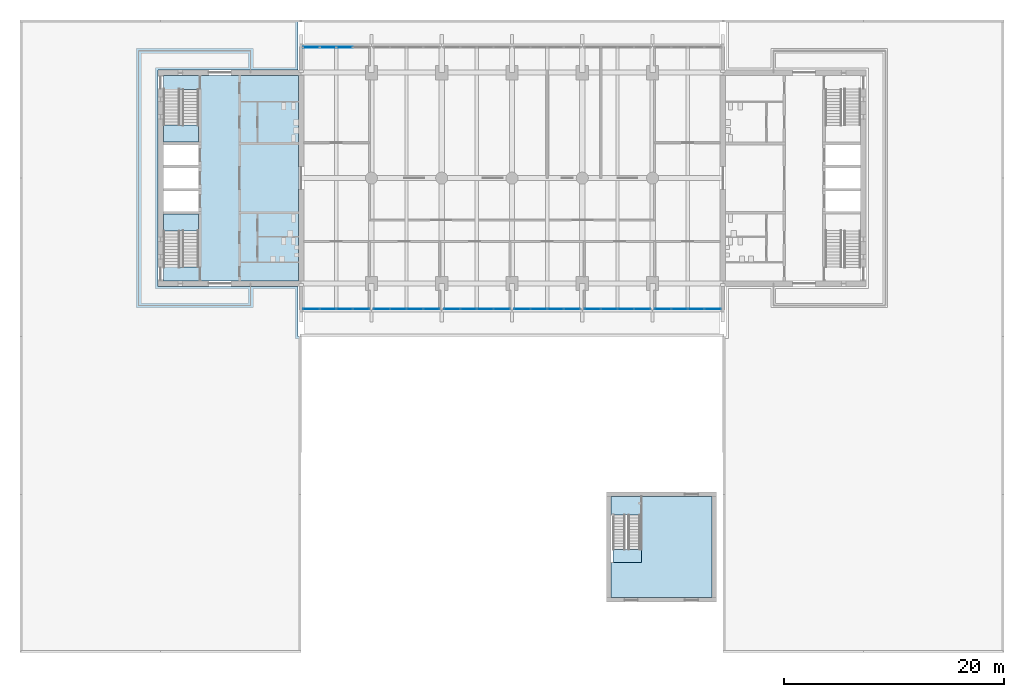
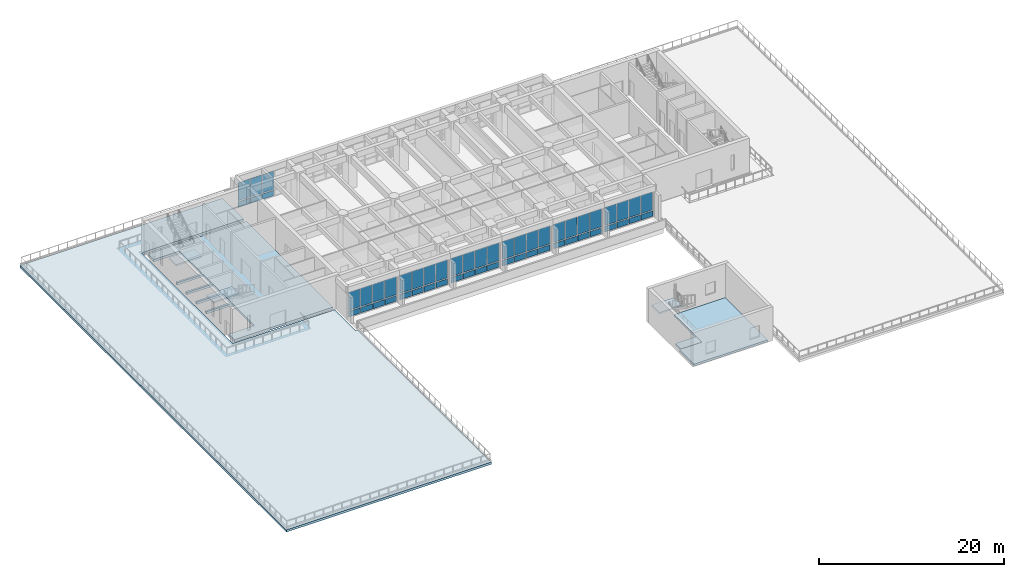
# One storey, part 8 of 21: 54 plates, 7 slabs, 10 elements without a shape of their own.
"""IFC4 building model written with IfcOpenShell, lengths in metres."""

from ifc_helpers import new_model, si_unit, direction, frame, origin, origin_2d, place, context, subcontext, project, spatial, polyline, rectangle, outline, extrude, material, layer, layer_set, type_object, element, aggregate, save


model = new_model("IFC4")

# Units and contexts
model_context = context("Model", 3, precision=1e-05, world=origin(), true_north=direction((0.0, 1.0)))
body_context = subcontext(model_context, "Body", "Model", "MODEL_VIEW")
ifc_project = project(units=[si_unit("LENGTHUNIT", "METRE"), si_unit("AREAUNIT", "SQUARE_METRE"), si_unit("VOLUMEUNIT", "CUBIC_METRE"), si_unit("PLANEANGLEUNIT", "RADIAN"), si_unit("MASSUNIT", "GRAM", prefix="KILO")], contexts=[model_context])

# Site, building, storey
site_placement = place(None, origin())
site = spatial("IfcSite", under=ifc_project, at=site_placement, CompositionType="ELEMENT")
building_placement = place(site_placement, origin())
building = spatial("IfcBuilding", under=site, at=building_placement, Name="Fogon Plaza Fire Station and Headquarters Tower", CompositionType="ELEMENT")
storey_placement = place(building_placement, frame((0.0, 0.0, 8.39990234375)))
storey = spatial("IfcBuildingStorey", under=building, at=storey_placement, Name="L02", CompositionType="ELEMENT", Elevation=8.39990234375)

# Slab
ifc_material_1 = material(Name="Concrete C40", Category="concrete")
ifc_layer_1 = layer(ifc_material_1, 0.300048828125)
ifc_layer_set_1 = layer_set([ifc_layer_1], Name="Concrete C40")
slab_type_1 = type_object("IfcSlabType", Name="Core Floor Slab RC 300", PredefinedType="FLOOR", material=ifc_layer_set_1)
slab_1_placement = place(storey_placement, frame((0.0, 0.0, -0.2998046875)))
element("IfcSlab", 1, at=slab_1_placement, inside=storey, type_object=slab_type_1, Name="Core A floor", PredefinedType="FLOOR", context=body_context, shape_type="SweptSolid", body=[
    extrude(outline(polyline([(13.050048828125, 35.110107421875), (13.050048828125, 33.85009765625), (25.35009765625, 33.85009765625), (25.35009765625, 52.550048828125), (13.050048828125, 52.550048828125), (13.050048828125, 51.2900390625), (16.27490234375, 51.2900390625), (16.27490234375, 46.47509765625), (13.050048828125, 46.47509765625), (13.050048828125, 46.22509765625), (16.27490234375, 46.22509765625), (16.27490234375, 44.375), (13.050048828125, 44.375), (13.050048828125, 44.125), (16.27490234375, 44.125), (16.27490234375, 42.27490234375), (13.050048828125, 42.27490234375), (13.050048828125, 42.02490234375), (16.27490234375, 42.02490234375), (16.27490234375, 40.175048828125), (13.050048828125, 40.175048828125), (13.050048828125, 39.925048828125), (16.27490234375, 39.925048828125), (16.27490234375, 35.110107421875), (13.050048828125, 35.110107421875)])), origin(), (0.0, 0.0, 1.0), 0.2998046875),
])

# Stair, slabs
ifc_material_2 = material(Name="Concrete C40", Category="concrete")
stair_type_1 = type_object("IfcStairType", Name="Drill Stair 1100", PredefinedType="HALF_TURN_STAIR", material=ifc_material_2)
stair_1_placement = place(storey_placement, origin())
stair_1 = element("IfcStair", 2, at=stair_1_placement, inside=storey, type_object=stair_type_1, Name="DT1", PredefinedType="HALF_TURN_STAIR")
ifc_material_3 = material(Name="Concrete C40", Category="concrete")
ifc_layer_2 = layer(ifc_material_3, 0.199951171875)
ifc_layer_set_2 = layer_set([ifc_layer_2], Name="Concrete C40")
slab_type_2 = type_object("IfcSlabType", Name="Drill Stair Landing 200", PredefinedType="LANDING", material=ifc_layer_set_2)
slab_2_placement = place(storey_placement, frame((0.0, 0.0, -0.199951171875)))
slab_2 = element("IfcSlab", 3, at=slab_2_placement, type_object=slab_type_2, Name="DT1 landing 1", PredefinedType="LANDING", context=body_context, shape_type="SweptSolid", body=[
    extrude(outline(polyline([(54.0, 8.199951171875), (56.60009765625, 8.199951171875), (56.60009765625, 9.39990234375), (54.0, 9.39990234375), (54.0, 8.199951171875)])), origin(), (0.0, 0.0, 1.0), 0.199951171875),
])
slab_3_placement = place(storey_placement, frame((0.0, 0.0, 2.050048828125)))
slab_3 = element("IfcSlab", 4, at=slab_3_placement, type_object=slab_type_2, Name="DT1 landing 2", PredefinedType="LANDING", context=body_context, shape_type="SweptSolid", body=[
    extrude(outline(polyline([(53.800048828125, 12.52001953125), (56.60009765625, 12.52001953125), (56.60009765625, 14.199951171875), (53.800048828125, 14.199951171875), (53.800048828125, 12.52001953125)])), origin(), (0.0, 0.0, 1.0), 0.199951171875),
])
aggregate(stair_1, [slab_2, slab_3])

# Slab
ifc_material_4 = material(Name="Concrete C40", Category="concrete")
ifc_layer_3 = layer(ifc_material_4, 0.25)
ifc_layer_set_3 = layer_set([ifc_layer_3], Name="Concrete C40")
slab_type_3 = type_object("IfcSlabType", Name="Floor slab 250 S25", PredefinedType="FLOOR", material=ifc_layer_set_3)
slab_4_placement = place(storey_placement, frame((0.0, 0.0, -0.25)))
element("IfcSlab", 5, at=slab_4_placement, inside=storey, type_object=slab_type_3, Name="slab-drill-L02", PredefinedType="FLOOR", context=body_context, shape_type="SweptSolid", body=[
    extrude(outline(polyline([(63.0, 14.199951171875), (63.0, 5.0), (53.800048828125, 5.0), (53.800048828125, 8.199951171875), (56.60009765625, 8.199951171875), (56.60009765625, 14.199951171875), (63.0, 14.199951171875)])), origin(), (0.0, 0.0, 1.0), 0.25),
])

# Curtain wall, plates
ifc_material_5 = material(Name="Aluminium and glass", Category="aluminium")
ifc_layer_4 = layer(ifc_material_5, 0.14990234375)
ifc_layer_set_4 = layer_set([ifc_layer_4], Name="Aluminium and glass")
curtain_wall_type = type_object("IfcCurtainWallType", Name="Unitised Curtain Wall Run 6100x3480", PredefinedType="NOTDEFINED", material=ifc_layer_set_4)
curtain_wall_1_placement = place(storey_placement, origin())
curtain_wall_1 = element("IfcCurtainWall", 6, at=curtain_wall_1_placement, inside=storey, type_object=curtain_wall_type, Name="CW-6100x3480 S1 L02", PredefinedType="NOTDEFINED")
ifc_material_6 = material(Name="Insulated aluminium spandrel", Category="aluminium")
ifc_layer_5 = layer(ifc_material_6, 0.06005859375)
ifc_layer_set_5 = layer_set([ifc_layer_5], Name="Insulated aluminium spandrel")
plate_type_1 = type_object("IfcPlateType", Name="Insulated Spandrel Panel", PredefinedType="CURTAIN_PANEL", material=ifc_layer_set_5)
plate_1_placement = place(storey_placement, frame((26.534912109375, 31.280029296875, 0.1201171875), z_axis=(0.0, 0.0, 1.0), x_axis=(1.0, 0.0, 0.0)))
plate_1 = element("IfcPlate", 7, at=plate_1_placement, type_object=plate_type_1, Name="SP1 panel 1.1", PredefinedType="CURTAIN_PANEL", context=body_context, shape_type="SweptSolid", body=[
    extrude(rectangle(XDim=1.449951171875, YDim=0.06005859375, at=origin_2d()), origin(), (0.0, 0.0, 1.0), 0.719970703125),
])
plate_2_placement = place(storey_placement, frame((28.044921875, 31.280029296875, 0.1201171875), z_axis=(0.0, 0.0, 1.0), x_axis=(1.0, 0.0, 0.0)))
plate_2 = element("IfcPlate", 8, at=plate_2_placement, type_object=plate_type_1, Name="SP1 panel 2.1", PredefinedType="CURTAIN_PANEL", context=body_context, shape_type="SweptSolid", body=[
    extrude(rectangle(XDim=1.449951171875, YDim=0.06005859375, at=origin_2d()), origin(), (0.0, 0.0, 1.0), 0.719970703125),
])
plate_3_placement = place(storey_placement, frame((29.554931640625, 31.280029296875, 0.1201171875), z_axis=(0.0, 0.0, 1.0), x_axis=(1.0, 0.0, 0.0)))
plate_3 = element("IfcPlate", 9, at=plate_3_placement, type_object=plate_type_1, Name="SP1 panel 3.1", PredefinedType="CURTAIN_PANEL", context=body_context, shape_type="SweptSolid", body=[
    extrude(rectangle(XDim=1.449951171875, YDim=0.06005859375, at=origin_2d()), origin(), (0.0, 0.0, 1.0), 0.719970703125),
])
plate_4_placement = place(storey_placement, frame((31.06494140625, 31.280029296875, 0.1201171875), z_axis=(0.0, 0.0, 1.0), x_axis=(1.0, 0.0, 0.0)))
plate_4 = element("IfcPlate", 10, at=plate_4_placement, type_object=plate_type_1, Name="SP1 panel 4.1", PredefinedType="CURTAIN_PANEL", context=body_context, shape_type="SweptSolid", body=[
    extrude(rectangle(XDim=1.449951171875, YDim=0.06005859375, at=origin_2d()), origin(), (0.0, 0.0, 1.0), 0.719970703125),
])

curtain_wall_2_placement = place(storey_placement, origin())
curtain_wall_2 = element("IfcCurtainWall", 11, at=curtain_wall_2_placement, inside=storey, type_object=curtain_wall_type, Name="CW-6100x3480 S2 L02", PredefinedType="NOTDEFINED")
plate_5_placement = place(storey_placement, frame((32.93505859375, 31.280029296875, 0.1201171875), z_axis=(0.0, 0.0, 1.0), x_axis=(1.0, 0.0, 0.0)))
plate_5 = element("IfcPlate", 12, at=plate_5_placement, type_object=plate_type_1, Name="SP1 panel 1.1", PredefinedType="CURTAIN_PANEL", context=body_context, shape_type="SweptSolid", body=[
    extrude(rectangle(XDim=1.449951171875, YDim=0.06005859375, at=origin_2d()), origin(), (0.0, 0.0, 1.0), 0.719970703125),
])
plate_6_placement = place(storey_placement, frame((34.445068359375, 31.280029296875, 0.1201171875), z_axis=(0.0, 0.0, 1.0), x_axis=(1.0, 0.0, 0.0)))
plate_6 = element("IfcPlate", 13, at=plate_6_placement, type_object=plate_type_1, Name="SP1 panel 2.1", PredefinedType="CURTAIN_PANEL", context=body_context, shape_type="SweptSolid", body=[
    extrude(rectangle(XDim=1.449951171875, YDim=0.06005859375, at=origin_2d()), origin(), (0.0, 0.0, 1.0), 0.719970703125),
])
plate_7_placement = place(storey_placement, frame((35.955078125, 31.280029296875, 0.1201171875), z_axis=(0.0, 0.0, 1.0), x_axis=(1.0, 0.0, 0.0)))
plate_7 = element("IfcPlate", 14, at=plate_7_placement, type_object=plate_type_1, Name="SP1 panel 3.1", PredefinedType="CURTAIN_PANEL", context=body_context, shape_type="SweptSolid", body=[
    extrude(rectangle(XDim=1.449951171875, YDim=0.06005859375, at=origin_2d()), origin(), (0.0, 0.0, 1.0), 0.719970703125),
])
plate_8_placement = place(storey_placement, frame((37.465087890625, 31.280029296875, 0.1201171875), z_axis=(0.0, 0.0, 1.0), x_axis=(1.0, 0.0, 0.0)))
plate_8 = element("IfcPlate", 15, at=plate_8_placement, type_object=plate_type_1, Name="SP1 panel 4.1", PredefinedType="CURTAIN_PANEL", context=body_context, shape_type="SweptSolid", body=[
    extrude(rectangle(XDim=1.449951171875, YDim=0.06005859375, at=origin_2d()), origin(), (0.0, 0.0, 1.0), 0.719970703125),
])

curtain_wall_3_placement = place(storey_placement, origin())
curtain_wall_3 = element("IfcCurtainWall", 16, at=curtain_wall_3_placement, inside=storey, type_object=curtain_wall_type, Name="CW-6100x3480 S3 L02", PredefinedType="NOTDEFINED")
plate_9_placement = place(storey_placement, frame((39.3349609375, 31.280029296875, 0.1201171875), z_axis=(0.0, 0.0, 1.0), x_axis=(1.0, 0.0, 0.0)))
plate_9 = element("IfcPlate", 17, at=plate_9_placement, type_object=plate_type_1, Name="SP1 panel 1.1", PredefinedType="CURTAIN_PANEL", context=body_context, shape_type="SweptSolid", body=[
    extrude(rectangle(XDim=1.449951171875, YDim=0.06005859375, at=origin_2d()), origin(), (0.0, 0.0, 1.0), 0.719970703125),
])
plate_10_placement = place(storey_placement, frame((40.844970703125, 31.280029296875, 0.1201171875), z_axis=(0.0, 0.0, 1.0), x_axis=(1.0, 0.0, 0.0)))
plate_10 = element("IfcPlate", 18, at=plate_10_placement, type_object=plate_type_1, Name="SP1 panel 2.1", PredefinedType="CURTAIN_PANEL", context=body_context, shape_type="SweptSolid", body=[
    extrude(rectangle(XDim=1.449951171875, YDim=0.06005859375, at=origin_2d()), origin(), (0.0, 0.0, 1.0), 0.719970703125),
])
plate_11_placement = place(storey_placement, frame((42.35498046875, 31.280029296875, 0.1201171875), z_axis=(0.0, 0.0, 1.0), x_axis=(1.0, 0.0, 0.0)))
plate_11 = element("IfcPlate", 19, at=plate_11_placement, type_object=plate_type_1, Name="SP1 panel 3.1", PredefinedType="CURTAIN_PANEL", context=body_context, shape_type="SweptSolid", body=[
    extrude(rectangle(XDim=1.449951171875, YDim=0.06005859375, at=origin_2d()), origin(), (0.0, 0.0, 1.0), 0.719970703125),
])
plate_12_placement = place(storey_placement, frame((43.864990234375, 31.280029296875, 0.1201171875), z_axis=(0.0, 0.0, 1.0), x_axis=(1.0, 0.0, 0.0)))
plate_12 = element("IfcPlate", 20, at=plate_12_placement, type_object=plate_type_1, Name="SP1 panel 4.1", PredefinedType="CURTAIN_PANEL", context=body_context, shape_type="SweptSolid", body=[
    extrude(rectangle(XDim=1.449951171875, YDim=0.06005859375, at=origin_2d()), origin(), (0.0, 0.0, 1.0), 0.719970703125),
])

curtain_wall_4_placement = place(storey_placement, origin())
curtain_wall_4 = element("IfcCurtainWall", 21, at=curtain_wall_4_placement, inside=storey, type_object=curtain_wall_type, Name="CW-6100x3480 S4 L02", PredefinedType="NOTDEFINED")
plate_13_placement = place(storey_placement, frame((45.735107421875, 31.280029296875, 0.1201171875), z_axis=(0.0, 0.0, 1.0), x_axis=(1.0, 0.0, 0.0)))
plate_13 = element("IfcPlate", 22, at=plate_13_placement, type_object=plate_type_1, Name="SP1 panel 1.1", PredefinedType="CURTAIN_PANEL", context=body_context, shape_type="SweptSolid", body=[
    extrude(rectangle(XDim=1.449951171875, YDim=0.06005859375, at=origin_2d()), origin(), (0.0, 0.0, 1.0), 0.719970703125),
])
plate_14_placement = place(storey_placement, frame((47.2451171875, 31.280029296875, 0.1201171875), z_axis=(0.0, 0.0, 1.0), x_axis=(1.0, 0.0, 0.0)))
plate_14 = element("IfcPlate", 23, at=plate_14_placement, type_object=plate_type_1, Name="SP1 panel 2.1", PredefinedType="CURTAIN_PANEL", context=body_context, shape_type="SweptSolid", body=[
    extrude(rectangle(XDim=1.449951171875, YDim=0.06005859375, at=origin_2d()), origin(), (0.0, 0.0, 1.0), 0.719970703125),
])
plate_15_placement = place(storey_placement, frame((48.7548828125, 31.280029296875, 0.1201171875), z_axis=(0.0, 0.0, 1.0), x_axis=(1.0, 0.0, 0.0)))
plate_15 = element("IfcPlate", 24, at=plate_15_placement, type_object=plate_type_1, Name="SP1 panel 3.1", PredefinedType="CURTAIN_PANEL", context=body_context, shape_type="SweptSolid", body=[
    extrude(rectangle(XDim=1.449951171875, YDim=0.06005859375, at=origin_2d()), origin(), (0.0, 0.0, 1.0), 0.719970703125),
])
plate_16_placement = place(storey_placement, frame((50.264892578125, 31.280029296875, 0.1201171875), z_axis=(0.0, 0.0, 1.0), x_axis=(1.0, 0.0, 0.0)))
plate_16 = element("IfcPlate", 25, at=plate_16_placement, type_object=plate_type_1, Name="SP1 panel 4.1", PredefinedType="CURTAIN_PANEL", context=body_context, shape_type="SweptSolid", body=[
    extrude(rectangle(XDim=1.449951171875, YDim=0.06005859375, at=origin_2d()), origin(), (0.0, 0.0, 1.0), 0.719970703125),
])

curtain_wall_5_placement = place(storey_placement, origin())
curtain_wall_5 = element("IfcCurtainWall", 26, at=curtain_wall_5_placement, inside=storey, type_object=curtain_wall_type, Name="CW-6100x3480 S5 L02", PredefinedType="NOTDEFINED")
plate_17_placement = place(storey_placement, frame((52.135009765625, 31.280029296875, 0.1201171875), z_axis=(0.0, 0.0, 1.0), x_axis=(1.0, 0.0, 0.0)))
plate_17 = element("IfcPlate", 27, at=plate_17_placement, type_object=plate_type_1, Name="SP1 panel 1.1", PredefinedType="CURTAIN_PANEL", context=body_context, shape_type="SweptSolid", body=[
    extrude(rectangle(XDim=1.449951171875, YDim=0.06005859375, at=origin_2d()), origin(), (0.0, 0.0, 1.0), 0.719970703125),
])
plate_18_placement = place(storey_placement, frame((53.64501953125, 31.280029296875, 0.1201171875), z_axis=(0.0, 0.0, 1.0), x_axis=(1.0, 0.0, 0.0)))
plate_18 = element("IfcPlate", 28, at=plate_18_placement, type_object=plate_type_1, Name="SP1 panel 2.1", PredefinedType="CURTAIN_PANEL", context=body_context, shape_type="SweptSolid", body=[
    extrude(rectangle(XDim=1.449951171875, YDim=0.06005859375, at=origin_2d()), origin(), (0.0, 0.0, 1.0), 0.719970703125),
])
plate_19_placement = place(storey_placement, frame((55.155029296875, 31.280029296875, 0.1201171875), z_axis=(0.0, 0.0, 1.0), x_axis=(1.0, 0.0, 0.0)))
plate_19 = element("IfcPlate", 29, at=plate_19_placement, type_object=plate_type_1, Name="SP1 panel 3.1", PredefinedType="CURTAIN_PANEL", context=body_context, shape_type="SweptSolid", body=[
    extrude(rectangle(XDim=1.449951171875, YDim=0.06005859375, at=origin_2d()), origin(), (0.0, 0.0, 1.0), 0.719970703125),
])
plate_20_placement = place(storey_placement, frame((56.6650390625, 31.280029296875, 0.1201171875), z_axis=(0.0, 0.0, 1.0), x_axis=(1.0, 0.0, 0.0)))
plate_20 = element("IfcPlate", 30, at=plate_20_placement, type_object=plate_type_1, Name="SP1 panel 4.1", PredefinedType="CURTAIN_PANEL", context=body_context, shape_type="SweptSolid", body=[
    extrude(rectangle(XDim=1.449951171875, YDim=0.06005859375, at=origin_2d()), origin(), (0.0, 0.0, 1.0), 0.719970703125),
])

curtain_wall_6_placement = place(storey_placement, origin())
curtain_wall_6 = element("IfcCurtainWall", 31, at=curtain_wall_6_placement, inside=storey, type_object=curtain_wall_type, Name="CW-6100x3480 S6 L02", PredefinedType="NOTDEFINED")
plate_21_placement = place(storey_placement, frame((58.534912109375, 31.280029296875, 0.1201171875), z_axis=(0.0, 0.0, 1.0), x_axis=(1.0, 0.0, 0.0)))
plate_21 = element("IfcPlate", 32, at=plate_21_placement, type_object=plate_type_1, Name="SP1 panel 1.1", PredefinedType="CURTAIN_PANEL", context=body_context, shape_type="SweptSolid", body=[
    extrude(rectangle(XDim=1.449951171875, YDim=0.06005859375, at=origin_2d()), origin(), (0.0, 0.0, 1.0), 0.719970703125),
])
plate_22_placement = place(storey_placement, frame((60.044921875, 31.280029296875, 0.1201171875), z_axis=(0.0, 0.0, 1.0), x_axis=(1.0, 0.0, 0.0)))
plate_22 = element("IfcPlate", 33, at=plate_22_placement, type_object=plate_type_1, Name="SP1 panel 2.1", PredefinedType="CURTAIN_PANEL", context=body_context, shape_type="SweptSolid", body=[
    extrude(rectangle(XDim=1.449951171875, YDim=0.06005859375, at=origin_2d()), origin(), (0.0, 0.0, 1.0), 0.719970703125),
])
plate_23_placement = place(storey_placement, frame((61.554931640625, 31.280029296875, 0.1201171875), z_axis=(0.0, 0.0, 1.0), x_axis=(1.0, 0.0, 0.0)))
plate_23 = element("IfcPlate", 34, at=plate_23_placement, type_object=plate_type_1, Name="SP1 panel 3.1", PredefinedType="CURTAIN_PANEL", context=body_context, shape_type="SweptSolid", body=[
    extrude(rectangle(XDim=1.449951171875, YDim=0.06005859375, at=origin_2d()), origin(), (0.0, 0.0, 1.0), 0.719970703125),
])
plate_24_placement = place(storey_placement, frame((63.06494140625, 31.280029296875, 0.1201171875), z_axis=(0.0, 0.0, 1.0), x_axis=(1.0, 0.0, 0.0)))
plate_24 = element("IfcPlate", 35, at=plate_24_placement, type_object=plate_type_1, Name="SP1 panel 4.1", PredefinedType="CURTAIN_PANEL", context=body_context, shape_type="SweptSolid", body=[
    extrude(rectangle(XDim=1.449951171875, YDim=0.06005859375, at=origin_2d()), origin(), (0.0, 0.0, 1.0), 0.719970703125),
])

curtain_wall_7_placement = place(storey_placement, origin())
curtain_wall_7 = element("IfcCurtainWall", 36, at=curtain_wall_7_placement, inside=storey, type_object=curtain_wall_type, Name="CW-6100x3480 N1 L02", PredefinedType="NOTDEFINED")
plate_25_placement = place(storey_placement, frame((26.534912109375, 55.1201171875, 0.1201171875), z_axis=(0.0, 0.0, 1.0), x_axis=(1.0, 0.0, 0.0)))
plate_25 = element("IfcPlate", 37, at=plate_25_placement, type_object=plate_type_1, Name="SP1 panel 1.1", PredefinedType="CURTAIN_PANEL", context=body_context, shape_type="SweptSolid", body=[
    extrude(rectangle(XDim=1.449951171875, YDim=0.06005859375, at=origin_2d()), origin(), (0.0, 0.0, 1.0), 0.719970703125),
])
plate_26_placement = place(storey_placement, frame((28.044921875, 55.1201171875, 0.1201171875), z_axis=(0.0, 0.0, 1.0), x_axis=(1.0, 0.0, 0.0)))
plate_26 = element("IfcPlate", 38, at=plate_26_placement, type_object=plate_type_1, Name="SP1 panel 2.1", PredefinedType="CURTAIN_PANEL", context=body_context, shape_type="SweptSolid", body=[
    extrude(rectangle(XDim=1.449951171875, YDim=0.06005859375, at=origin_2d()), origin(), (0.0, 0.0, 1.0), 0.719970703125),
])
plate_27_placement = place(storey_placement, frame((29.554931640625, 55.1201171875, 0.1201171875), z_axis=(0.0, 0.0, 1.0), x_axis=(1.0, 0.0, 0.0)))
plate_27 = element("IfcPlate", 39, at=plate_27_placement, type_object=plate_type_1, Name="SP1 panel 3.1", PredefinedType="CURTAIN_PANEL", context=body_context, shape_type="SweptSolid", body=[
    extrude(rectangle(XDim=1.449951171875, YDim=0.06005859375, at=origin_2d()), origin(), (0.0, 0.0, 1.0), 0.719970703125),
])

# Slab
ifc_material_7 = material(Name="Concrete C40", Category="concrete")
ifc_layer_6 = layer(ifc_material_7, 0.300048828125)
ifc_layer_set_6 = layer_set([ifc_layer_6], Name="Concrete C40")
slab_type_4 = type_object("IfcSlabType", Name="Roof slab 300 R30", PredefinedType="ROOF", material=ifc_layer_set_6)
slab_5_placement = place(storey_placement, frame((0.0, 0.0, -0.2998046875)))
element("IfcSlab", 40, at=slab_5_placement, inside=storey, type_object=slab_type_4, Name="slab-L02-W", PredefinedType="ROOF", context=body_context, shape_type="SweptSolid", body=[
    extrude(outline(polyline([(25.60009765625, 0.0), (0.0, 0.0), (0.0, 57.60009765625), (25.300048828125, 57.60009765625), (25.300048828125, 53.050048828125), (12.550048828125, 53.050048828125), (12.550048828125, 33.35009765625), (25.300048828125, 33.35009765625), (25.300048828125, 28.800048828125), (25.60009765625, 28.800048828125), (25.60009765625, 0.0)])), origin(), (0.0, 0.0, 1.0), 0.2998046875),
])

# Stair, slab
ifc_material_8 = material(Name="Concrete C40", Category="concrete")
stair_type_2 = type_object("IfcStairType", Name="Exit Stair Two Flights", PredefinedType="TWO_STRAIGHT_RUN_STAIR", material=ifc_material_8)
stair_2_placement = place(storey_placement, origin())
stair_2 = element("IfcStair", 41, at=stair_2_placement, inside=storey, type_object=stair_type_2, Name="Stair ST1", PredefinedType="TWO_STRAIGHT_RUN_STAIR")
ifc_material_9 = material(Name="Concrete C40", Category="concrete")
ifc_layer_7 = layer(ifc_material_9, 0.300048828125)
ifc_layer_set_7 = layer_set([ifc_layer_7], Name="Concrete C40")
slab_type_5 = type_object("IfcSlabType", Name="Stair Landing RC 300", PredefinedType="LANDING", material=ifc_layer_set_7)
slab_6_placement = place(storey_placement, frame((0.0, 0.0, 2.050048828125)))
slab_6 = element("IfcSlab", 42, at=slab_6_placement, type_object=slab_type_5, Name="ST1 landing L04", PredefinedType="LANDING", context=body_context, shape_type="SweptSolid", body=[
    extrude(outline(polyline([(16.27490234375, 38.375), (16.27490234375, 39.925048828125), (13.050048828125, 39.925048828125), (13.050048828125, 38.375), (16.27490234375, 38.375)])), origin(), (0.0, 0.0, 1.0), 0.199951171875),
])
aggregate(stair_2, [slab_6])

stair_3_placement = place(storey_placement, origin())
stair_3 = element("IfcStair", 43, at=stair_3_placement, inside=storey, type_object=stair_type_2, Name="Stair ST2", PredefinedType="TWO_STRAIGHT_RUN_STAIR")
slab_7_placement = place(storey_placement, frame((0.0, 0.0, 2.050048828125)))
slab_7 = element("IfcSlab", 44, at=slab_7_placement, type_object=slab_type_5, Name="ST2 landing L04", PredefinedType="LANDING", context=body_context, shape_type="SweptSolid", body=[
    extrude(outline(polyline([(16.27490234375, 46.47509765625), (16.27490234375, 48.02490234375), (13.050048828125, 48.02490234375), (13.050048828125, 46.47509765625), (16.27490234375, 46.47509765625)])), origin(), (0.0, 0.0, 1.0), 0.199951171875),
])
aggregate(stair_3, [slab_7])

# Plate
ifc_material_10 = material(Name="Low-e double glazing", Category="glass")
ifc_layer_8 = layer(ifc_material_10, 0.028076171875)
ifc_layer_set_8 = layer_set([ifc_layer_8], Name="Low-e double glazing")
plate_type_2 = type_object("IfcPlateType", Name="Vision Glass Panel 1450x2400", PredefinedType="CURTAIN_PANEL", material=ifc_layer_set_8)
plate_28_placement = place(storey_placement, frame((26.534912109375, 31.280029296875, 0.960205078125), z_axis=(0.0, 0.0, 1.0), x_axis=(1.0, 0.0, 0.0)))
plate_28 = element("IfcPlate", 45, at=plate_28_placement, type_object=plate_type_2, Name="VG-1450x2400 panel 1.2", PredefinedType="CURTAIN_PANEL", context=body_context, shape_type="SweptSolid", body=[
    extrude(rectangle(XDim=1.449951171875, YDim=0.028076171875, at=origin_2d()), origin(), (0.0, 0.0, 1.0), 2.39990234375),
])

plate_29_placement = place(storey_placement, frame((28.044921875, 31.280029296875, 0.960205078125), z_axis=(0.0, 0.0, 1.0), x_axis=(1.0, 0.0, 0.0)))
plate_29 = element("IfcPlate", 46, at=plate_29_placement, type_object=plate_type_2, Name="VG-1450x2400 panel 2.2", PredefinedType="CURTAIN_PANEL", context=body_context, shape_type="SweptSolid", body=[
    extrude(rectangle(XDim=1.449951171875, YDim=0.028076171875, at=origin_2d()), origin(), (0.0, 0.0, 1.0), 2.39990234375),
])

plate_30_placement = place(storey_placement, frame((29.554931640625, 31.280029296875, 0.960205078125), z_axis=(0.0, 0.0, 1.0), x_axis=(1.0, 0.0, 0.0)))
plate_30 = element("IfcPlate", 47, at=plate_30_placement, type_object=plate_type_2, Name="VG-1450x2400 panel 3.2", PredefinedType="CURTAIN_PANEL", context=body_context, shape_type="SweptSolid", body=[
    extrude(rectangle(XDim=1.449951171875, YDim=0.028076171875, at=origin_2d()), origin(), (0.0, 0.0, 1.0), 2.39990234375),
])

plate_31_placement = place(storey_placement, frame((31.06494140625, 31.280029296875, 0.960205078125), z_axis=(0.0, 0.0, 1.0), x_axis=(1.0, 0.0, 0.0)))
plate_31 = element("IfcPlate", 48, at=plate_31_placement, type_object=plate_type_2, Name="VG-1450x2400 panel 4.2", PredefinedType="CURTAIN_PANEL", context=body_context, shape_type="SweptSolid", body=[
    extrude(rectangle(XDim=1.449951171875, YDim=0.028076171875, at=origin_2d()), origin(), (0.0, 0.0, 1.0), 2.39990234375),
])

aggregate(curtain_wall_1, [plate_1, plate_28, plate_2, plate_29, plate_3, plate_30, plate_4, plate_31])

plate_32_placement = place(storey_placement, frame((32.93505859375, 31.280029296875, 0.960205078125), z_axis=(0.0, 0.0, 1.0), x_axis=(1.0, 0.0, 0.0)))
plate_32 = element("IfcPlate", 49, at=plate_32_placement, type_object=plate_type_2, Name="VG-1450x2400 panel 1.2", PredefinedType="CURTAIN_PANEL", context=body_context, shape_type="SweptSolid", body=[
    extrude(rectangle(XDim=1.449951171875, YDim=0.028076171875, at=origin_2d()), origin(), (0.0, 0.0, 1.0), 2.39990234375),
])

plate_33_placement = place(storey_placement, frame((34.445068359375, 31.280029296875, 0.960205078125), z_axis=(0.0, 0.0, 1.0), x_axis=(1.0, 0.0, 0.0)))
plate_33 = element("IfcPlate", 50, at=plate_33_placement, type_object=plate_type_2, Name="VG-1450x2400 panel 2.2", PredefinedType="CURTAIN_PANEL", context=body_context, shape_type="SweptSolid", body=[
    extrude(rectangle(XDim=1.449951171875, YDim=0.028076171875, at=origin_2d()), origin(), (0.0, 0.0, 1.0), 2.39990234375),
])

plate_34_placement = place(storey_placement, frame((35.955078125, 31.280029296875, 0.960205078125), z_axis=(0.0, 0.0, 1.0), x_axis=(1.0, 0.0, 0.0)))
plate_34 = element("IfcPlate", 51, at=plate_34_placement, type_object=plate_type_2, Name="VG-1450x2400 panel 3.2", PredefinedType="CURTAIN_PANEL", context=body_context, shape_type="SweptSolid", body=[
    extrude(rectangle(XDim=1.449951171875, YDim=0.028076171875, at=origin_2d()), origin(), (0.0, 0.0, 1.0), 2.39990234375),
])

plate_35_placement = place(storey_placement, frame((37.465087890625, 31.280029296875, 0.960205078125), z_axis=(0.0, 0.0, 1.0), x_axis=(1.0, 0.0, 0.0)))
plate_35 = element("IfcPlate", 52, at=plate_35_placement, type_object=plate_type_2, Name="VG-1450x2400 panel 4.2", PredefinedType="CURTAIN_PANEL", context=body_context, shape_type="SweptSolid", body=[
    extrude(rectangle(XDim=1.449951171875, YDim=0.028076171875, at=origin_2d()), origin(), (0.0, 0.0, 1.0), 2.39990234375),
])

aggregate(curtain_wall_2, [plate_5, plate_32, plate_6, plate_33, plate_7, plate_34, plate_8, plate_35])

plate_36_placement = place(storey_placement, frame((39.3349609375, 31.280029296875, 0.960205078125), z_axis=(0.0, 0.0, 1.0), x_axis=(1.0, 0.0, 0.0)))
plate_36 = element("IfcPlate", 53, at=plate_36_placement, type_object=plate_type_2, Name="VG-1450x2400 panel 1.2", PredefinedType="CURTAIN_PANEL", context=body_context, shape_type="SweptSolid", body=[
    extrude(rectangle(XDim=1.449951171875, YDim=0.028076171875, at=origin_2d()), origin(), (0.0, 0.0, 1.0), 2.39990234375),
])

plate_37_placement = place(storey_placement, frame((40.844970703125, 31.280029296875, 0.960205078125), z_axis=(0.0, 0.0, 1.0), x_axis=(1.0, 0.0, 0.0)))
plate_37 = element("IfcPlate", 54, at=plate_37_placement, type_object=plate_type_2, Name="VG-1450x2400 panel 2.2", PredefinedType="CURTAIN_PANEL", context=body_context, shape_type="SweptSolid", body=[
    extrude(rectangle(XDim=1.449951171875, YDim=0.028076171875, at=origin_2d()), origin(), (0.0, 0.0, 1.0), 2.39990234375),
])

plate_38_placement = place(storey_placement, frame((42.35498046875, 31.280029296875, 0.960205078125), z_axis=(0.0, 0.0, 1.0), x_axis=(1.0, 0.0, 0.0)))
plate_38 = element("IfcPlate", 55, at=plate_38_placement, type_object=plate_type_2, Name="VG-1450x2400 panel 3.2", PredefinedType="CURTAIN_PANEL", context=body_context, shape_type="SweptSolid", body=[
    extrude(rectangle(XDim=1.449951171875, YDim=0.028076171875, at=origin_2d()), origin(), (0.0, 0.0, 1.0), 2.39990234375),
])

plate_39_placement = place(storey_placement, frame((43.864990234375, 31.280029296875, 0.960205078125), z_axis=(0.0, 0.0, 1.0), x_axis=(1.0, 0.0, 0.0)))
plate_39 = element("IfcPlate", 56, at=plate_39_placement, type_object=plate_type_2, Name="VG-1450x2400 panel 4.2", PredefinedType="CURTAIN_PANEL", context=body_context, shape_type="SweptSolid", body=[
    extrude(rectangle(XDim=1.449951171875, YDim=0.028076171875, at=origin_2d()), origin(), (0.0, 0.0, 1.0), 2.39990234375),
])

aggregate(curtain_wall_3, [plate_9, plate_36, plate_10, plate_37, plate_11, plate_38, plate_12, plate_39])

plate_40_placement = place(storey_placement, frame((45.735107421875, 31.280029296875, 0.960205078125), z_axis=(0.0, 0.0, 1.0), x_axis=(1.0, 0.0, 0.0)))
plate_40 = element("IfcPlate", 57, at=plate_40_placement, type_object=plate_type_2, Name="VG-1450x2400 panel 1.2", PredefinedType="CURTAIN_PANEL", context=body_context, shape_type="SweptSolid", body=[
    extrude(rectangle(XDim=1.449951171875, YDim=0.028076171875, at=origin_2d()), origin(), (0.0, 0.0, 1.0), 2.39990234375),
])

plate_41_placement = place(storey_placement, frame((47.2451171875, 31.280029296875, 0.960205078125), z_axis=(0.0, 0.0, 1.0), x_axis=(1.0, 0.0, 0.0)))
plate_41 = element("IfcPlate", 58, at=plate_41_placement, type_object=plate_type_2, Name="VG-1450x2400 panel 2.2", PredefinedType="CURTAIN_PANEL", context=body_context, shape_type="SweptSolid", body=[
    extrude(rectangle(XDim=1.449951171875, YDim=0.028076171875, at=origin_2d()), origin(), (0.0, 0.0, 1.0), 2.39990234375),
])

plate_42_placement = place(storey_placement, frame((48.7548828125, 31.280029296875, 0.960205078125), z_axis=(0.0, 0.0, 1.0), x_axis=(1.0, 0.0, 0.0)))
plate_42 = element("IfcPlate", 59, at=plate_42_placement, type_object=plate_type_2, Name="VG-1450x2400 panel 3.2", PredefinedType="CURTAIN_PANEL", context=body_context, shape_type="SweptSolid", body=[
    extrude(rectangle(XDim=1.449951171875, YDim=0.028076171875, at=origin_2d()), origin(), (0.0, 0.0, 1.0), 2.39990234375),
])

plate_43_placement = place(storey_placement, frame((50.264892578125, 31.280029296875, 0.960205078125), z_axis=(0.0, 0.0, 1.0), x_axis=(1.0, 0.0, 0.0)))
plate_43 = element("IfcPlate", 60, at=plate_43_placement, type_object=plate_type_2, Name="VG-1450x2400 panel 4.2", PredefinedType="CURTAIN_PANEL", context=body_context, shape_type="SweptSolid", body=[
    extrude(rectangle(XDim=1.449951171875, YDim=0.028076171875, at=origin_2d()), origin(), (0.0, 0.0, 1.0), 2.39990234375),
])

aggregate(curtain_wall_4, [plate_13, plate_40, plate_14, plate_41, plate_15, plate_42, plate_16, plate_43])

plate_44_placement = place(storey_placement, frame((52.135009765625, 31.280029296875, 0.960205078125), z_axis=(0.0, 0.0, 1.0), x_axis=(1.0, 0.0, 0.0)))
plate_44 = element("IfcPlate", 61, at=plate_44_placement, type_object=plate_type_2, Name="VG-1450x2400 panel 1.2", PredefinedType="CURTAIN_PANEL", context=body_context, shape_type="SweptSolid", body=[
    extrude(rectangle(XDim=1.449951171875, YDim=0.028076171875, at=origin_2d()), origin(), (0.0, 0.0, 1.0), 2.39990234375),
])

plate_45_placement = place(storey_placement, frame((53.64501953125, 31.280029296875, 0.960205078125), z_axis=(0.0, 0.0, 1.0), x_axis=(1.0, 0.0, 0.0)))
plate_45 = element("IfcPlate", 62, at=plate_45_placement, type_object=plate_type_2, Name="VG-1450x2400 panel 2.2", PredefinedType="CURTAIN_PANEL", context=body_context, shape_type="SweptSolid", body=[
    extrude(rectangle(XDim=1.449951171875, YDim=0.028076171875, at=origin_2d()), origin(), (0.0, 0.0, 1.0), 2.39990234375),
])

plate_46_placement = place(storey_placement, frame((55.155029296875, 31.280029296875, 0.960205078125), z_axis=(0.0, 0.0, 1.0), x_axis=(1.0, 0.0, 0.0)))
plate_46 = element("IfcPlate", 63, at=plate_46_placement, type_object=plate_type_2, Name="VG-1450x2400 panel 3.2", PredefinedType="CURTAIN_PANEL", context=body_context, shape_type="SweptSolid", body=[
    extrude(rectangle(XDim=1.449951171875, YDim=0.028076171875, at=origin_2d()), origin(), (0.0, 0.0, 1.0), 2.39990234375),
])

plate_47_placement = place(storey_placement, frame((56.6650390625, 31.280029296875, 0.960205078125), z_axis=(0.0, 0.0, 1.0), x_axis=(1.0, 0.0, 0.0)))
plate_47 = element("IfcPlate", 64, at=plate_47_placement, type_object=plate_type_2, Name="VG-1450x2400 panel 4.2", PredefinedType="CURTAIN_PANEL", context=body_context, shape_type="SweptSolid", body=[
    extrude(rectangle(XDim=1.449951171875, YDim=0.028076171875, at=origin_2d()), origin(), (0.0, 0.0, 1.0), 2.39990234375),
])

aggregate(curtain_wall_5, [plate_17, plate_44, plate_18, plate_45, plate_19, plate_46, plate_20, plate_47])

plate_48_placement = place(storey_placement, frame((58.534912109375, 31.280029296875, 0.960205078125), z_axis=(0.0, 0.0, 1.0), x_axis=(1.0, 0.0, 0.0)))
plate_48 = element("IfcPlate", 65, at=plate_48_placement, type_object=plate_type_2, Name="VG-1450x2400 panel 1.2", PredefinedType="CURTAIN_PANEL", context=body_context, shape_type="SweptSolid", body=[
    extrude(rectangle(XDim=1.449951171875, YDim=0.028076171875, at=origin_2d()), origin(), (0.0, 0.0, 1.0), 2.39990234375),
])

plate_49_placement = place(storey_placement, frame((60.044921875, 31.280029296875, 0.960205078125), z_axis=(0.0, 0.0, 1.0), x_axis=(1.0, 0.0, 0.0)))
plate_49 = element("IfcPlate", 66, at=plate_49_placement, type_object=plate_type_2, Name="VG-1450x2400 panel 2.2", PredefinedType="CURTAIN_PANEL", context=body_context, shape_type="SweptSolid", body=[
    extrude(rectangle(XDim=1.449951171875, YDim=0.028076171875, at=origin_2d()), origin(), (0.0, 0.0, 1.0), 2.39990234375),
])

plate_50_placement = place(storey_placement, frame((61.554931640625, 31.280029296875, 0.960205078125), z_axis=(0.0, 0.0, 1.0), x_axis=(1.0, 0.0, 0.0)))
plate_50 = element("IfcPlate", 67, at=plate_50_placement, type_object=plate_type_2, Name="VG-1450x2400 panel 3.2", PredefinedType="CURTAIN_PANEL", context=body_context, shape_type="SweptSolid", body=[
    extrude(rectangle(XDim=1.449951171875, YDim=0.028076171875, at=origin_2d()), origin(), (0.0, 0.0, 1.0), 2.39990234375),
])

plate_51_placement = place(storey_placement, frame((63.06494140625, 31.280029296875, 0.960205078125), z_axis=(0.0, 0.0, 1.0), x_axis=(1.0, 0.0, 0.0)))
plate_51 = element("IfcPlate", 68, at=plate_51_placement, type_object=plate_type_2, Name="VG-1450x2400 panel 4.2", PredefinedType="CURTAIN_PANEL", context=body_context, shape_type="SweptSolid", body=[
    extrude(rectangle(XDim=1.449951171875, YDim=0.028076171875, at=origin_2d()), origin(), (0.0, 0.0, 1.0), 2.39990234375),
])

aggregate(curtain_wall_6, [plate_21, plate_48, plate_22, plate_49, plate_23, plate_50, plate_24, plate_51])

plate_52_placement = place(storey_placement, frame((26.534912109375, 55.1201171875, 0.960205078125), z_axis=(0.0, 0.0, 1.0), x_axis=(1.0, 0.0, 0.0)))
plate_52 = element("IfcPlate", 69, at=plate_52_placement, type_object=plate_type_2, Name="VG-1450x2400 panel 1.2", PredefinedType="CURTAIN_PANEL", context=body_context, shape_type="SweptSolid", body=[
    extrude(rectangle(XDim=1.449951171875, YDim=0.028076171875, at=origin_2d()), origin(), (0.0, 0.0, 1.0), 2.39990234375),
])

plate_53_placement = place(storey_placement, frame((28.044921875, 55.1201171875, 0.960205078125), z_axis=(0.0, 0.0, 1.0), x_axis=(1.0, 0.0, 0.0)))
plate_53 = element("IfcPlate", 70, at=plate_53_placement, type_object=plate_type_2, Name="VG-1450x2400 panel 2.2", PredefinedType="CURTAIN_PANEL", context=body_context, shape_type="SweptSolid", body=[
    extrude(rectangle(XDim=1.449951171875, YDim=0.028076171875, at=origin_2d()), origin(), (0.0, 0.0, 1.0), 2.39990234375),
])

plate_54_placement = place(storey_placement, frame((29.554931640625, 55.1201171875, 0.960205078125), z_axis=(0.0, 0.0, 1.0), x_axis=(1.0, 0.0, 0.0)))
plate_54 = element("IfcPlate", 71, at=plate_54_placement, type_object=plate_type_2, Name="VG-1450x2400 panel 3.2", PredefinedType="CURTAIN_PANEL", context=body_context, shape_type="SweptSolid", body=[
    extrude(rectangle(XDim=1.449951171875, YDim=0.028076171875, at=origin_2d()), origin(), (0.0, 0.0, 1.0), 2.39990234375),
])

aggregate(curtain_wall_7, [plate_25, plate_52, plate_26, plate_53, plate_27, plate_54])

save(model, "model.ifc")
